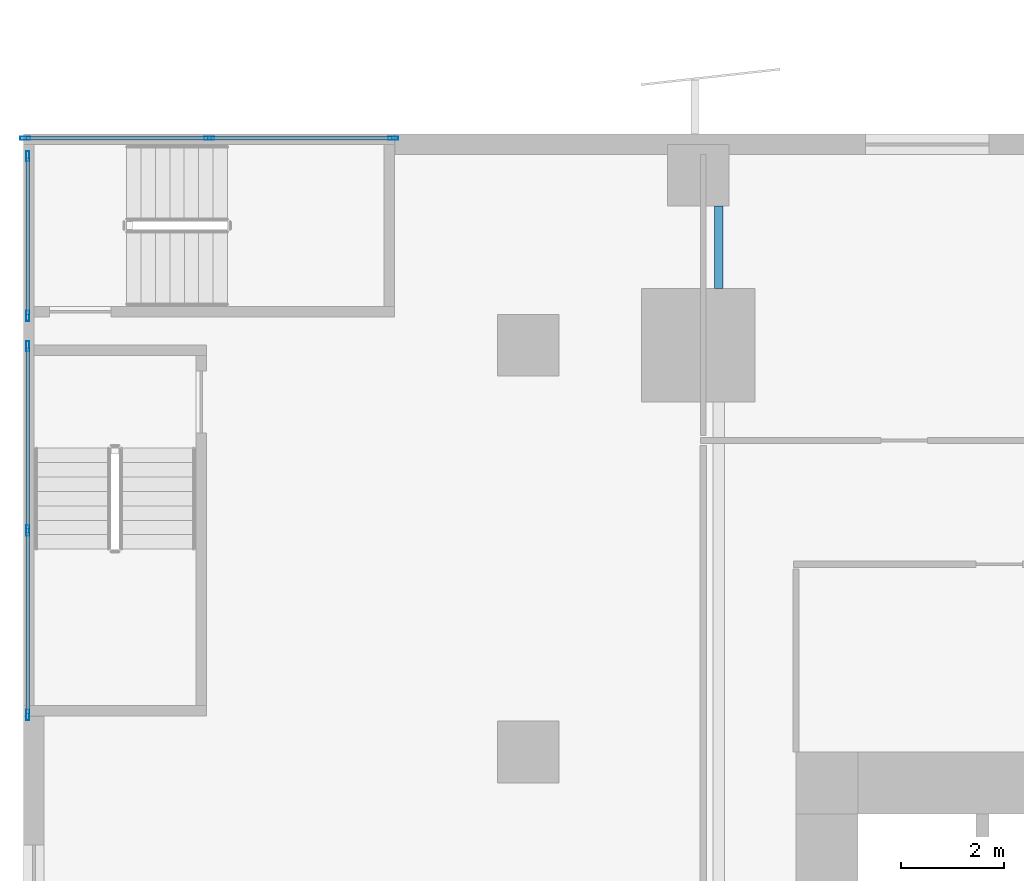
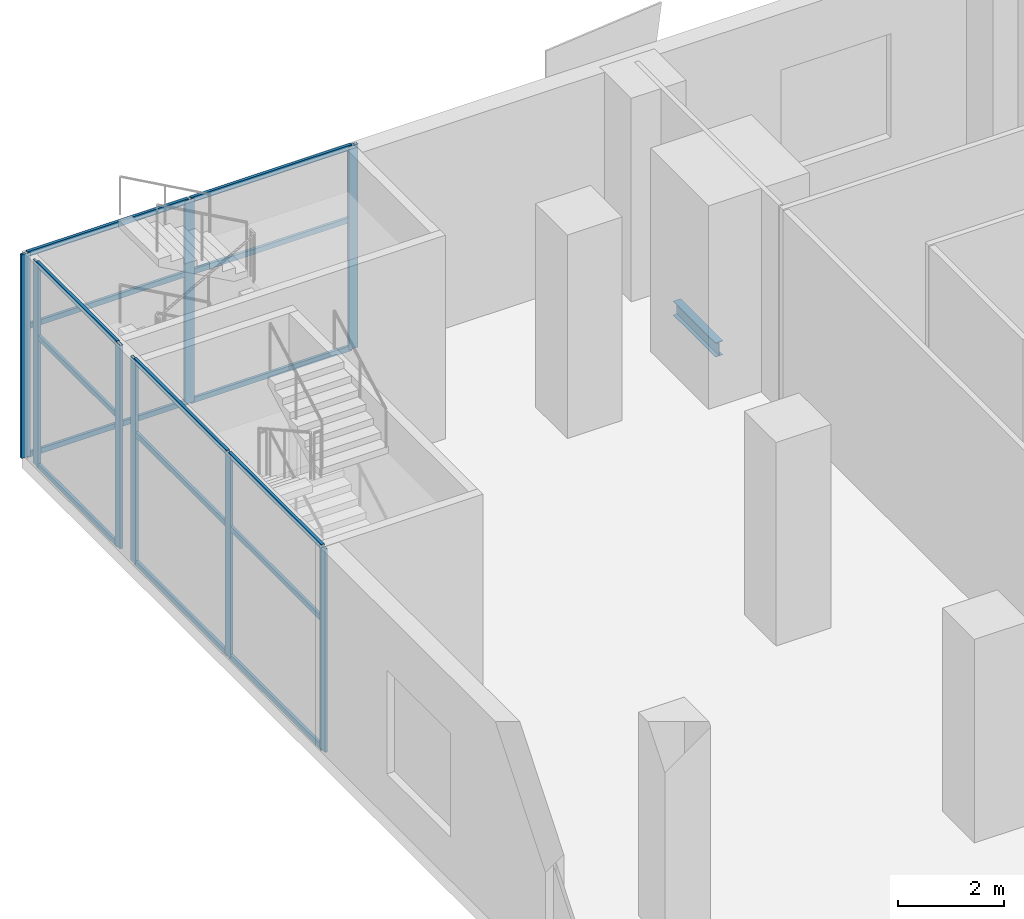
# One storey, part 4 of 22: 23 members, 1 beam, 3 elements without a shape of their own.
"""IFC4 building model written with IfcOpenShell, lengths in metres."""

from ifc_helpers import new_model, si_unit, direction, frame, origin, origin_2d, place, context, subcontext, project, spatial, hollow_rectangle, i_section, extrude, source, transform, mapped, material, material_profile, profile_set, type_object, element, aggregate, save


model = new_model("IFC4")

# Units and contexts
model_context = context("Model", 3, precision=1e-05, world=origin(), true_north=direction((0.0, 1.0)))
body_context = subcontext(model_context, "Body", "Model", "MODEL_VIEW")
ifc_project = project(units=[si_unit("LENGTHUNIT", "METRE"), si_unit("AREAUNIT", "SQUARE_METRE"), si_unit("VOLUMEUNIT", "CUBIC_METRE"), si_unit("PLANEANGLEUNIT", "RADIAN"), si_unit("MASSUNIT", "GRAM", prefix="KILO")], contexts=[model_context])

# Site, building, storey
site_placement = place(None, origin())
site = spatial("IfcSite", under=ifc_project, at=site_placement, CompositionType="ELEMENT")
building_placement = place(site_placement, origin())
building = spatial("IfcBuilding", under=site, at=building_placement, Name="Khomas Fold Tower", CompositionType="ELEMENT")
storey_placement = place(building_placement, frame((0.0, 0.0, 23.5)))
storey = spatial("IfcBuildingStorey", under=building, at=storey_placement, Name="L04", CompositionType="ELEMENT", Elevation=23.5)

# Beam
ifc_material_1 = material(Name="Steel S355", Category="steel")
ifc_material_profile_1 = material_profile(ifc_material_1, i_section(OverallWidth=0.159912109375, OverallDepth=0.330078125, WebThickness=0.007568359375, FlangeThickness=0.011474609375, at=origin_2d()), Name="IPE 330")
ifc_profile_set_1 = profile_set([ifc_material_profile_1], Name="Steel S355")
beam_type = type_object("IfcBeamType", Name="IPE 330 beam JB1", PredefinedType="BEAM", material=ifc_profile_set_1)
shared_shape_1 = source(origin(), body_context, "Body", "SweptSolid", [
    extrude(i_section(OverallWidth=0.159912109375, OverallDepth=0.330078125, WebThickness=0.007568359375, FlangeThickness=0.011474609375, at=origin_2d()), origin(), (0.0, 0.0, 1.0), 1.60009765625),
])
beam_placement = place(storey_placement, frame((4.5, 51.0, -0.465087890625), z_axis=(0.0, 1.0, 0.0), x_axis=(-1.0, 0.0, 0.0)))
element("IfcBeam", 1, at=beam_placement, inside=storey, type_object=beam_type, Name="JB1", PredefinedType="BEAM", context=body_context, shape_type="MappedRepresentation", body=[
    mapped(shared_shape_1, transform((0.0, 0.0, 0.0))),
])

# Curtain wall, members
ifc_material_2 = material(Name="Aluminium framed double glazing", Category="aluminium")
curtain_wall_type = type_object("IfcCurtainWallType", Name="Shopfront glazing PD-CW", PredefinedType="NOTDEFINED", material=ifc_material_2)
curtain_wall_1_placement = place(storey_placement, origin())
curtain_wall_1 = element("IfcCurtainWall", 2, at=curtain_wall_1_placement, inside=storey, type_object=curtain_wall_type, Name="Podium stair-tower glazing", PredefinedType="NOTDEFINED")
ifc_material_3 = material(Name="Aluminium", Category="aluminium")
ifc_material_profile_2 = material_profile(ifc_material_3, hollow_rectangle(XDim=0.06005859375, YDim=0.1201171875, WallThickness=0.00390625, at=origin_2d()), Name="Shopfront glazing transom PD-CW-T")
ifc_profile_set_2 = profile_set([ifc_material_profile_2], Name="Aluminium")
member_type_1 = type_object("IfcMemberType", Name="Shopfront glazing transom PD-CW-T", PredefinedType="USERDEFINED", material=ifc_profile_set_2)
shared_shape_2 = source(origin(), body_context, "Body", "SweptSolid", [
    extrude(hollow_rectangle(XDim=0.06005859375, YDim=0.1201171875, WallThickness=0.00390625, at=origin_2d()), origin(), (0.0, 0.0, 1.0), 3.0400390625),
])
member_1_placement = place(storey_placement, frame((-8.919921875, 53.5400390625, 0.030029296875), z_axis=(0.0, -1.0, 0.0), x_axis=(1.0, 0.0, 0.0)))
member_1 = element("IfcMember", 3, at=member_1_placement, type_object=member_type_1, Name="PD-CW transom 1.1", ObjectType="TRANSOM", PredefinedType="USERDEFINED", context=body_context, shape_type="MappedRepresentation", body=[
    mapped(shared_shape_2, transform((0.0, 0.0, 0.0))),
])
member_2_placement = place(storey_placement, frame((-8.919921875, 53.5400390625, 3.0), z_axis=(0.0, -1.0, 0.0), x_axis=(1.0, 0.0, 0.0)))
member_2 = element("IfcMember", 4, at=member_2_placement, type_object=member_type_1, Name="PD-CW transom 1.2", ObjectType="TRANSOM", PredefinedType="USERDEFINED", context=body_context, shape_type="MappedRepresentation", body=[
    mapped(shared_shape_2, transform((0.0, 0.0, 0.0))),
])
member_3_placement = place(storey_placement, frame((-8.919921875, 53.5400390625, 4.669921875), z_axis=(0.0, -1.0, 0.0), x_axis=(1.0, 0.0, 0.0)))
member_3 = element("IfcMember", 5, at=member_3_placement, type_object=member_type_1, Name="PD-CW transom 1.3", ObjectType="TRANSOM", PredefinedType="USERDEFINED", context=body_context, shape_type="MappedRepresentation", body=[
    mapped(shared_shape_2, transform((0.0, 0.0, 0.0))),
])

curtain_wall_2_placement = place(storey_placement, origin())
curtain_wall_2 = element("IfcCurtainWall", 6, at=curtain_wall_2_placement, inside=storey, type_object=curtain_wall_type, Name="Podium stair-tower glazing", PredefinedType="NOTDEFINED")
shared_shape_3 = source(origin(), body_context, "Body", "SweptSolid", [
    extrude(hollow_rectangle(XDim=0.06005859375, YDim=0.1201171875, WallThickness=0.00390625, at=origin_2d()), origin(), (0.0, 0.0, 1.0), 3.52001953125),
])
member_4_placement = place(storey_placement, frame((-8.919921875, 49.85009765625, 0.030029296875), z_axis=(0.0, -1.0, 0.0), x_axis=(1.0, 0.0, 0.0)))
member_4 = element("IfcMember", 7, at=member_4_placement, type_object=member_type_1, Name="PD-CW transom 1.1", ObjectType="TRANSOM", PredefinedType="USERDEFINED", context=body_context, shape_type="MappedRepresentation", body=[
    mapped(shared_shape_3, transform((0.0, 0.0, 0.0))),
])
member_5_placement = place(storey_placement, frame((-8.919921875, 49.85009765625, 3.0), z_axis=(0.0, -1.0, 0.0), x_axis=(1.0, 0.0, 0.0)))
member_5 = element("IfcMember", 8, at=member_5_placement, type_object=member_type_1, Name="PD-CW transom 1.2", ObjectType="TRANSOM", PredefinedType="USERDEFINED", context=body_context, shape_type="MappedRepresentation", body=[
    mapped(shared_shape_3, transform((0.0, 0.0, 0.0))),
])
member_6_placement = place(storey_placement, frame((-8.919921875, 49.85009765625, 4.669921875), z_axis=(0.0, -1.0, 0.0), x_axis=(1.0, 0.0, 0.0)))
member_6 = element("IfcMember", 9, at=member_6_placement, type_object=member_type_1, Name="PD-CW transom 1.3", ObjectType="TRANSOM", PredefinedType="USERDEFINED", context=body_context, shape_type="MappedRepresentation", body=[
    mapped(shared_shape_3, transform((0.0, 0.0, 0.0))),
])
member_7_placement = place(storey_placement, frame((-8.919921875, 46.27001953125, 0.030029296875), z_axis=(0.0, -1.0, 0.0), x_axis=(1.0, 0.0, 0.0)))
member_7 = element("IfcMember", 10, at=member_7_placement, type_object=member_type_1, Name="PD-CW transom 2.1", ObjectType="TRANSOM", PredefinedType="USERDEFINED", context=body_context, shape_type="MappedRepresentation", body=[
    mapped(shared_shape_3, transform((0.0, 0.0, 0.0))),
])
member_8_placement = place(storey_placement, frame((-8.919921875, 46.27001953125, 3.0), z_axis=(0.0, -1.0, 0.0), x_axis=(1.0, 0.0, 0.0)))
member_8 = element("IfcMember", 11, at=member_8_placement, type_object=member_type_1, Name="PD-CW transom 2.2", ObjectType="TRANSOM", PredefinedType="USERDEFINED", context=body_context, shape_type="MappedRepresentation", body=[
    mapped(shared_shape_3, transform((0.0, 0.0, 0.0))),
])
member_9_placement = place(storey_placement, frame((-8.919921875, 46.27001953125, 4.669921875), z_axis=(0.0, -1.0, 0.0), x_axis=(1.0, 0.0, 0.0)))
member_9 = element("IfcMember", 12, at=member_9_placement, type_object=member_type_1, Name="PD-CW transom 2.3", ObjectType="TRANSOM", PredefinedType="USERDEFINED", context=body_context, shape_type="MappedRepresentation", body=[
    mapped(shared_shape_3, transform((0.0, 0.0, 0.0))),
])

curtain_wall_3_placement = place(storey_placement, origin())
curtain_wall_3 = element("IfcCurtainWall", 13, at=curtain_wall_3_placement, inside=storey, type_object=curtain_wall_type, Name="Podium stair-tower glazing", PredefinedType="NOTDEFINED")
shared_shape_4 = source(origin(), body_context, "Body", "SweptSolid", [
    extrude(hollow_rectangle(XDim=0.06005859375, YDim=0.1201171875, WallThickness=0.00390625, at=origin_2d()), origin(), (0.0, 0.0, 1.0), 3.514892578125),
])
member_10_placement = place(storey_placement, frame((-1.85009765625, 53.919921875, 0.030029296875), z_axis=(-1.0, 0.0, 0.0), x_axis=(0.0, -1.0, 0.0)))
member_10 = element("IfcMember", 14, at=member_10_placement, type_object=member_type_1, Name="PD-CW transom 1.1", ObjectType="TRANSOM", PredefinedType="USERDEFINED", context=body_context, shape_type="MappedRepresentation", body=[
    mapped(shared_shape_4, transform((0.0, 0.0, 0.0))),
])
member_11_placement = place(storey_placement, frame((-1.85009765625, 53.919921875, 3.0), z_axis=(-1.0, 0.0, 0.0), x_axis=(0.0, -1.0, 0.0)))
member_11 = element("IfcMember", 15, at=member_11_placement, type_object=member_type_1, Name="PD-CW transom 1.2", ObjectType="TRANSOM", PredefinedType="USERDEFINED", context=body_context, shape_type="MappedRepresentation", body=[
    mapped(shared_shape_4, transform((0.0, 0.0, 0.0))),
])
member_12_placement = place(storey_placement, frame((-1.85009765625, 53.919921875, 4.669921875), z_axis=(-1.0, 0.0, 0.0), x_axis=(0.0, -1.0, 0.0)))
member_12 = element("IfcMember", 16, at=member_12_placement, type_object=member_type_1, Name="PD-CW transom 1.3", ObjectType="TRANSOM", PredefinedType="USERDEFINED", context=body_context, shape_type="MappedRepresentation", body=[
    mapped(shared_shape_4, transform((0.0, 0.0, 0.0))),
])
member_13_placement = place(storey_placement, frame((-5.425048828125, 53.919921875, 0.030029296875), z_axis=(-1.0, 0.0, 0.0), x_axis=(0.0, -1.0, 0.0)))
member_13 = element("IfcMember", 17, at=member_13_placement, type_object=member_type_1, Name="PD-CW transom 2.1", ObjectType="TRANSOM", PredefinedType="USERDEFINED", context=body_context, shape_type="MappedRepresentation", body=[
    mapped(shared_shape_4, transform((0.0, 0.0, 0.0))),
])
member_14_placement = place(storey_placement, frame((-5.425048828125, 53.919921875, 3.0), z_axis=(-1.0, 0.0, 0.0), x_axis=(0.0, -1.0, 0.0)))
member_14 = element("IfcMember", 18, at=member_14_placement, type_object=member_type_1, Name="PD-CW transom 2.2", ObjectType="TRANSOM", PredefinedType="USERDEFINED", context=body_context, shape_type="MappedRepresentation", body=[
    mapped(shared_shape_4, transform((0.0, 0.0, 0.0))),
])
member_15_placement = place(storey_placement, frame((-5.425048828125, 53.919921875, 4.669921875), z_axis=(-1.0, 0.0, 0.0), x_axis=(0.0, -1.0, 0.0)))
member_15 = element("IfcMember", 19, at=member_15_placement, type_object=member_type_1, Name="PD-CW transom 2.3", ObjectType="TRANSOM", PredefinedType="USERDEFINED", context=body_context, shape_type="MappedRepresentation", body=[
    mapped(shared_shape_4, transform((0.0, 0.0, 0.0))),
])

# Member
ifc_material_4 = material(Name="Aluminium", Category="aluminium")
ifc_material_profile_3 = material_profile(ifc_material_4, hollow_rectangle(XDim=0.06005859375, YDim=0.199951171875, WallThickness=0.00390625, at=origin_2d()), Name="Shopfront glazing mullion PD-CW-M")
ifc_profile_set_3 = profile_set([ifc_material_profile_3], Name="Aluminium")
member_type_2 = type_object("IfcMemberType", Name="Shopfront glazing mullion PD-CW-M", PredefinedType="MULLION", material=ifc_profile_set_3)
shared_shape_5 = source(origin(), body_context, "Body", "SweptSolid", [
    extrude(hollow_rectangle(XDim=0.06005859375, YDim=0.199951171875, WallThickness=0.00390625, at=origin_2d()), origin(), (0.0, 0.0, 1.0), 4.699951171875),
])
member_16_placement = place(storey_placement, frame((-8.919921875, 53.570068359375, 0.0), z_axis=(0.0, 0.0, 1.0), x_axis=(1.0, 0.0, 0.0)))
member_16 = element("IfcMember", 20, at=member_16_placement, type_object=member_type_2, Name="PD-CW mullion 1", PredefinedType="MULLION", context=body_context, shape_type="MappedRepresentation", body=[
    mapped(shared_shape_5, transform((0.0, 0.0, 0.0))),
])

member_17_placement = place(storey_placement, frame((-8.919921875, 50.469970703125, 0.0), z_axis=(0.0, 0.0, 1.0), x_axis=(1.0, 0.0, 0.0)))
member_17 = element("IfcMember", 21, at=member_17_placement, type_object=member_type_2, Name="PD-CW mullion 2", PredefinedType="MULLION", context=body_context, shape_type="MappedRepresentation", body=[
    mapped(shared_shape_5, transform((0.0, 0.0, 0.0))),
])

aggregate(curtain_wall_1, [member_16, member_17, member_1, member_2, member_3])

member_18_placement = place(storey_placement, frame((-8.919921875, 49.8798828125, 0.0), z_axis=(0.0, 0.0, 1.0), x_axis=(1.0, 0.0, 0.0)))
member_18 = element("IfcMember", 22, at=member_18_placement, type_object=member_type_2, Name="PD-CW mullion 1", PredefinedType="MULLION", context=body_context, shape_type="MappedRepresentation", body=[
    mapped(shared_shape_5, transform((0.0, 0.0, 0.0))),
])

member_19_placement = place(storey_placement, frame((-8.919921875, 46.300048828125, 0.0), z_axis=(0.0, 0.0, 1.0), x_axis=(1.0, 0.0, 0.0)))
member_19 = element("IfcMember", 23, at=member_19_placement, type_object=member_type_2, Name="PD-CW mullion 2", PredefinedType="MULLION", context=body_context, shape_type="MappedRepresentation", body=[
    mapped(shared_shape_5, transform((0.0, 0.0, 0.0))),
])

member_20_placement = place(storey_placement, frame((-8.919921875, 42.719970703125, 0.0), z_axis=(0.0, 0.0, 1.0), x_axis=(1.0, 0.0, 0.0)))
member_20 = element("IfcMember", 24, at=member_20_placement, type_object=member_type_2, Name="PD-CW mullion 3", PredefinedType="MULLION", context=body_context, shape_type="MappedRepresentation", body=[
    mapped(shared_shape_5, transform((0.0, 0.0, 0.0))),
])

aggregate(curtain_wall_2, [member_18, member_19, member_20, member_4, member_5, member_6, member_7, member_8, member_9])

member_21_placement = place(storey_placement, frame((-1.820068359375, 53.919921875, 0.0), z_axis=(0.0, 0.0, 1.0), x_axis=(0.0, -1.0, 0.0)))
member_21 = element("IfcMember", 25, at=member_21_placement, type_object=member_type_2, Name="PD-CW mullion 1", PredefinedType="MULLION", context=body_context, shape_type="MappedRepresentation", body=[
    mapped(shared_shape_5, transform((0.0, 0.0, 0.0))),
])

member_22_placement = place(storey_placement, frame((-5.39501953125, 53.919921875, 0.0), z_axis=(0.0, 0.0, 1.0), x_axis=(0.0, -1.0, 0.0)))
member_22 = element("IfcMember", 26, at=member_22_placement, type_object=member_type_2, Name="PD-CW mullion 2", PredefinedType="MULLION", context=body_context, shape_type="MappedRepresentation", body=[
    mapped(shared_shape_5, transform((0.0, 0.0, 0.0))),
])

member_23_placement = place(storey_placement, frame((-8.969970703125, 53.919921875, 0.0), z_axis=(0.0, 0.0, 1.0), x_axis=(0.0, -1.0, 0.0)))
member_23 = element("IfcMember", 27, at=member_23_placement, type_object=member_type_2, Name="PD-CW mullion 3", PredefinedType="MULLION", context=body_context, shape_type="MappedRepresentation", body=[
    mapped(shared_shape_5, transform((0.0, 0.0, 0.0))),
])

aggregate(curtain_wall_3, [member_21, member_22, member_23, member_10, member_11, member_12, member_13, member_14, member_15])

save(model, "model.ifc")
